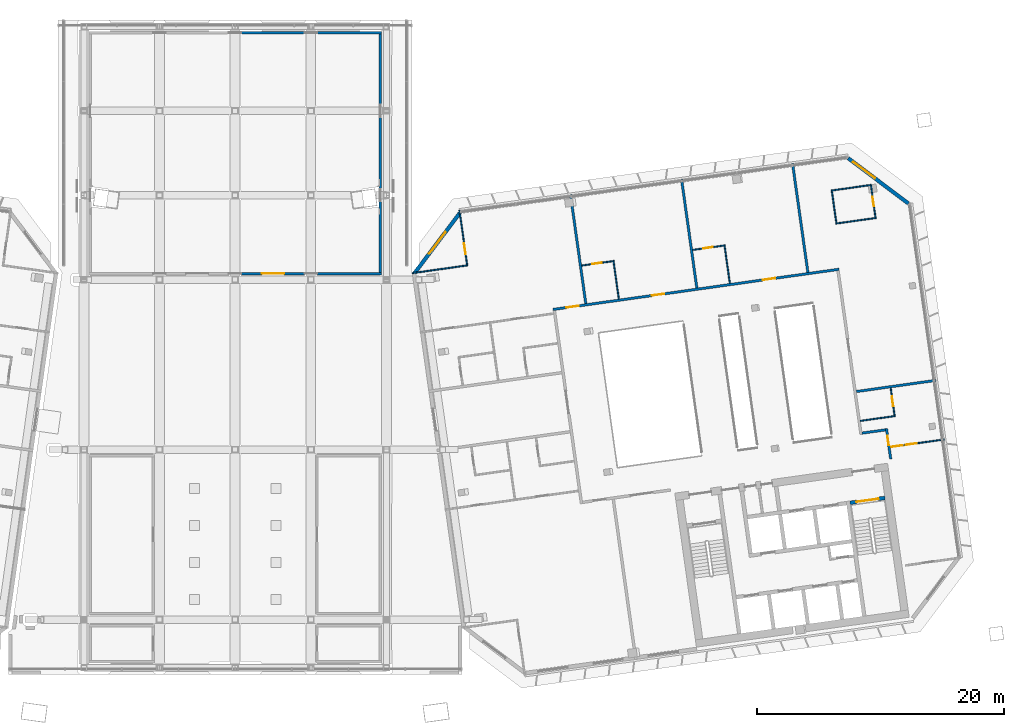
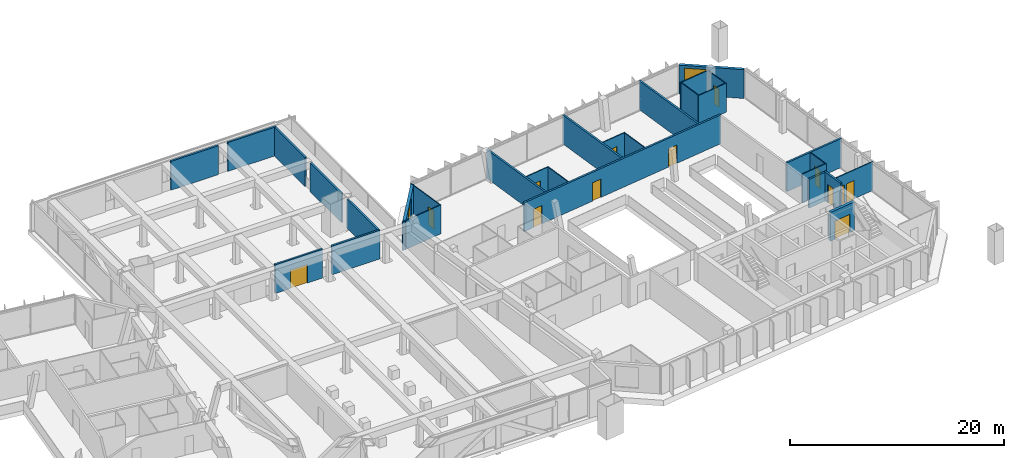
# One storey, part 23 of 30: 30 walls, 13 doors, 2 windows, 15 openings.
"""IFC4 building model written with IfcOpenShell, lengths in metres."""

from ifc_helpers import new_model, si_unit, direction, frame, frame_2d, origin, place, context, subcontext, project, spatial, rectangle, extrude, material, layer, layer_set, type_object, element, fill, save


model = new_model("IFC4")

# Units and contexts
model_context = context("Model", 3, precision=1e-05, world=origin(), true_north=direction((0.0, 1.0)))
body_context = subcontext(model_context, "Body", "Model", "MODEL_VIEW")
ifc_project = project(units=[si_unit("LENGTHUNIT", "METRE"), si_unit("AREAUNIT", "SQUARE_METRE"), si_unit("VOLUMEUNIT", "CUBIC_METRE"), si_unit("PLANEANGLEUNIT", "RADIAN"), si_unit("MASSUNIT", "GRAM", prefix="KILO")], contexts=[model_context])

# Site, building, storey
site_placement = place(None, origin())
site = spatial("IfcSite", under=ifc_project, at=site_placement, CompositionType="ELEMENT")
building_placement = place(site_placement, origin())
building = spatial("IfcBuilding", under=site, at=building_placement, Name="Mirante Cascada Hotel Towers", CompositionType="ELEMENT")
storey_placement = place(building_placement, frame((0.0, 0.0, 258.4)))
storey = spatial("IfcBuildingStorey", under=building, at=storey_placement, Name="L62", CompositionType="ELEMENT", Elevation=258.4)

# Walls
ifc_material_1 = material(Name="Fire-rated plasterboard on metal studs")
ifc_layer_1 = layer(ifc_material_1, 0.2)
ifc_layer_set_1 = layer_set([ifc_layer_1], Name="Compartment wall 200 EI 120")
wall_type_1 = type_object("IfcWallType", Name="Compartment wall 200 EI 120", PredefinedType="PARTITIONING", material=ifc_layer_set_1)
wall_1_placement = place(storey_placement, frame((52.6552, -2.2494, 0.0), z_axis=(0.0, 0.0, 1.0), x_axis=(-0.9902628, -0.1392105, 0.0)))
element("IfcWall", 1, at=wall_1_placement, inside=storey, type_object=wall_type_1, Name="Wall 2-L62-06", PredefinedType="PARTITIONING", context=body_context, shape_type="SweptSolid", body=[
    extrude(rectangle(XDim=1.9, YDim=0.2, at=frame_2d((0.95, 0.0))), origin(), (0.0, 0.0, 1.0), 3.3),
])
wall_2_placement = place(storey_placement, frame((50.3005, 0.853, 0.0), z_axis=(0.0, 0.0, 1.0), x_axis=(0.9902664, 0.1391853, 0.0)))
element("IfcWall", 2, at=wall_2_placement, inside=storey, type_object=wall_type_1, Name="Wall 2-L62-11", PredefinedType="PARTITIONING", context=body_context, shape_type="SweptSolid", body=[
    extrude(rectangle(XDim=6.5, YDim=0.2, at=frame_2d((3.25, 0.0))), origin(), (0.0, 0.0, 1.0), 3.3),
])

# Wall, openings, doors
wall_3_placement = place(storey_placement, frame((48.9088, 10.7557, 0.0), z_axis=(0.0, 0.0, 1.0), x_axis=(-0.9902684, -0.1391708, 0.0)))
wall_3 = element("IfcWall", 3, at=wall_3_placement, inside=storey, type_object=wall_type_1, Name="Wall 2-L62-16", PredefinedType="PARTITIONING", context=body_context, shape_type="SweptSolid", body=[
    extrude(rectangle(XDim=23.4, YDim=0.2, at=frame_2d((11.7, 0.0))), origin(), (0.0, 0.0, 1.0), 3.3),
])
opening_1_placement = place(wall_3_placement, frame((21.2999, 0.0, 0.0)))
opening_1 = element("IfcOpeningElement", 4, at=opening_1_placement, cuts=wall_3, Name="Opening D2-L62-10", PredefinedType="OPENING", context=body_context, shape_type="SweptSolid", body=[
    extrude(rectangle(XDim=1.0, YDim=2.1, at=frame_2d((0.5, 1.05))), frame((0.0, 0.1, 0.0), z_axis=(0.0, -1.0, 0.0), x_axis=(1.0, 0.0, 0.0)), (0.0, 0.0, 1.0), 0.2),
])
opening_2_placement = place(wall_3_placement, frame((14.3099, 0.0, 0.0)))
opening_2 = element("IfcOpeningElement", 5, at=opening_2_placement, cuts=wall_3, Name="Opening D2-L62-11", PredefinedType="OPENING", context=body_context, shape_type="SweptSolid", body=[
    extrude(rectangle(XDim=1.0, YDim=2.1, at=frame_2d((0.5, 1.05))), frame((0.0, 0.1, 0.0), z_axis=(0.0, -1.0, 0.0), x_axis=(1.0, 0.0, 0.0)), (0.0, 0.0, 1.0), 0.2),
])
opening_3_placement = place(wall_3_placement, frame((5.2299, 0.0, 0.0)))
opening_3 = element("IfcOpeningElement", 6, at=opening_3_placement, cuts=wall_3, Name="Opening D2-L62-12", PredefinedType="OPENING", context=body_context, shape_type="SweptSolid", body=[
    extrude(rectangle(XDim=1.0, YDim=2.1, at=frame_2d((0.5, 1.05))), frame((0.0, 0.1, 0.0), z_axis=(0.0, -1.0, 0.0), x_axis=(1.0, 0.0, 0.0)), (0.0, 0.0, 1.0), 0.2),
])
ifc_material_2 = material(Name="Fire-rated timber door leaf", Category="wood")
door_type_1 = type_object("IfcDoorType", Name="Entrance door DG1 1000x2100 EI 60", OperationType="SINGLE_SWING_LEFT", PredefinedType="DOOR", material=ifc_material_2)
door_1_placement = place(opening_1_placement, frame((1.0, 0.0, 0.0), z_axis=(0.0, 0.0, 1.0), x_axis=(-1.0, 0.0, 0.0)))
door_1 = element("IfcDoor", 7, at=door_1_placement, inside=storey, type_object=door_type_1, Name="Door D2-L62-10", OperationType="SINGLE_SWING_RIGHT", OverallHeight=2.1, OverallWidth=1.0, PredefinedType="DOOR", context=body_context, shape_type="SweptSolid", body=[
    extrude(rectangle(XDim=1.0, YDim=2.1, at=frame_2d((0.5, 1.05))), frame((0.0, 0.025, 0.0), z_axis=(0.0, -1.0, 0.0), x_axis=(1.0, 0.0, 0.0)), (0.0, 0.0, 1.0), 0.05),
])
fill(opening_1, door_1)
door_2_placement = place(opening_2_placement, frame((1.0, 0.0, 0.0), z_axis=(0.0, 0.0, 1.0), x_axis=(-1.0, 0.0, 0.0)))
door_2 = element("IfcDoor", 8, at=door_2_placement, inside=storey, type_object=door_type_1, Name="Door D2-L62-11", OperationType="SINGLE_SWING_RIGHT", OverallHeight=2.1, OverallWidth=1.0, PredefinedType="DOOR", context=body_context, shape_type="SweptSolid", body=[
    extrude(rectangle(XDim=1.0, YDim=2.1, at=frame_2d((0.5, 1.05))), frame((0.0, 0.025, 0.0), z_axis=(0.0, -1.0, 0.0), x_axis=(1.0, 0.0, 0.0)), (0.0, 0.0, 1.0), 0.05),
])
fill(opening_2, door_2)
door_3_placement = place(opening_3_placement, frame((1.0, 0.0, 0.0), z_axis=(0.0, 0.0, 1.0), x_axis=(-1.0, 0.0, 0.0)))
door_3 = element("IfcDoor", 9, at=door_3_placement, inside=storey, type_object=door_type_1, Name="Door D2-L62-12", OperationType="SINGLE_SWING_RIGHT", OverallHeight=2.1, OverallWidth=1.0, PredefinedType="DOOR", context=body_context, shape_type="SweptSolid", body=[
    extrude(rectangle(XDim=1.0, YDim=2.1, at=frame_2d((0.5, 1.05))), frame((0.0, 0.025, 0.0), z_axis=(0.0, -1.0, 0.0), x_axis=(1.0, 0.0, 0.0)), (0.0, 0.0, 1.0), 0.05),
])
fill(opening_3, door_3)

# Walls
for number, where, z_axis, x_axis, name in (
    (10, (27.1579, 16.7873, 0.0), (0.0, 0.0, 1.0), (0.1391684, -0.9902687, 0.0), "Wall 2-L62-32"),
    (11, (36.1494, 18.051, 0.0), (0.0, 0.0, 1.0), (0.1391684, -0.9902687, 0.0), "Wall 2-L62-34"),
):
    element("IfcWall", number, at=place(storey_placement, frame(where, z_axis=z_axis, x_axis=x_axis)), inside=storey, type_object=wall_type_1, Name=name, PredefinedType="PARTITIONING", context=body_context, shape_type="SweptSolid", body=[
        extrude(rectangle(XDim=8.9, YDim=0.2, at=frame_2d((4.45, 0.0))), origin(), (0.0, 0.0, 1.0), 3.3),
    ])
wall_4_placement = place(storey_placement, frame((45.1409, 19.3146, 0.0), z_axis=(0.0, 0.0, 1.0), x_axis=(0.139181, -0.990267, 0.0)))
element("IfcWall", 12, at=wall_4_placement, inside=storey, type_object=wall_type_1, Name="Wall 2-L62-36", PredefinedType="PARTITIONING", context=body_context, shape_type="SweptSolid", body=[
    extrude(rectangle(XDim=8.8999, YDim=0.2, at=frame_2d((4.45, 0.0))), origin(), (0.0, 0.0, 1.0), 3.3),
])

# Wall, opening, door
wall_5_placement = place(storey_placement, frame((53.0882, -4.6122, 0.0), z_axis=(0.0, 0.0, 1.0), x_axis=(-0.1391586, 0.9902701, 0.0)))
wall_5 = element("IfcWall", 13, at=wall_5_placement, inside=storey, type_object=wall_type_1, Name="Wall 2-L62-39", PredefinedType="PARTITIONING", context=body_context, shape_type="SweptSolid", body=[
    extrude(rectangle(XDim=2.5, YDim=0.2, at=frame_2d((1.25, 0.0))), origin(), (0.0, 0.0, 1.0), 3.3),
])
opening_4_placement = place(wall_5_placement, frame((1.1167, 0.0, 0.0)))
opening_4 = element("IfcOpeningElement", 14, at=opening_4_placement, cuts=wall_5, Name="Opening D2-L62-23", PredefinedType="OPENING", context=body_context, shape_type="SweptSolid", body=[
    extrude(rectangle(XDim=0.8, YDim=2.1, at=frame_2d((0.4, 1.05))), frame((0.0, 0.1, 0.0), z_axis=(0.0, -1.0, 0.0), x_axis=(1.0, 0.0, 0.0)), (0.0, 0.0, 1.0), 0.2),
])
ifc_material_3 = material(Name="Fire-rated timber door leaf", Category="wood")
door_type_2 = type_object("IfcDoorType", Name="Bathroom door DG4 800x2100 EI 60", OperationType="SINGLE_SWING_LEFT", PredefinedType="DOOR", material=ifc_material_3)
door_4_placement = place(opening_4_placement, origin())
door_4 = element("IfcDoor", 15, at=door_4_placement, inside=storey, type_object=door_type_2, Name="Door D2-L62-23", OperationType="SINGLE_SWING_LEFT", OverallHeight=2.1, OverallWidth=0.8, PredefinedType="DOOR", context=body_context, shape_type="SweptSolid", body=[
    extrude(rectangle(XDim=0.8, YDim=2.1, at=frame_2d((0.4, 1.05))), frame((0.0, 0.025, 0.0), z_axis=(0.0, -1.0, 0.0), x_axis=(1.0, 0.0, 0.0)), (0.0, 0.0, 1.0), 0.05),
])
fill(opening_4, door_4)

ifc_material_4 = material(Name="Masonry block", Category="masonry")
ifc_layer_2 = layer(ifc_material_4, 0.2)
ifc_layer_set_2 = layer_set([ifc_layer_2], Name="Deck room wall 200 block EI 120")
wall_type_2 = type_object("IfcWallType", Name="Deck room wall 200 block EI 120", PredefinedType="PARTITIONING", material=ifc_layer_set_2)
wall_6_placement = place(storey_placement, frame((0.5, 10.41, 0.0), z_axis=(0.0, 0.0, 1.0), x_axis=(1.0, 0.0, 0.0)))
wall_6 = element("IfcWall", 16, at=wall_6_placement, inside=storey, type_object=wall_type_2, Name="Sky park fire wall L62 W21", PredefinedType="PARTITIONING", context=body_context, shape_type="SweptSolid", body=[
    extrude(rectangle(XDim=5.13, YDim=0.2, at=frame_2d((2.565, 0.0))), origin(), (0.0, 0.0, 1.0), 3.3),
])
opening_5_placement = place(wall_6_placement, frame((1.665, 0.0, 0.0)))
opening_5 = element("IfcOpeningElement", 17, at=opening_5_placement, cuts=wall_6, Name="Opening DD-62-06", PredefinedType="OPENING", context=body_context, shape_type="SweptSolid", body=[
    extrude(rectangle(XDim=1.8, YDim=2.1, at=frame_2d((0.9, 1.05))), frame((0.0, 0.1, 0.0), z_axis=(0.0, -1.0, 0.0), x_axis=(1.0, 0.0, 0.0)), (0.0, 0.0, 1.0), 0.2),
])
ifc_material_5 = material(Name="Hollow metal fire door leaf")
door_type_3 = type_object("IfcDoorType", Name="Double fire door 1800x2100 FD60 self-closing", OperationType="DOUBLE_DOOR_SINGLE_SWING", PredefinedType="DOOR", material=ifc_material_5)
door_5_placement = place(opening_5_placement, frame((1.8, 0.0, 0.0), z_axis=(0.0, 0.0, 1.0), x_axis=(-1.0, 0.0, 0.0)))
door_5 = element("IfcDoor", 18, at=door_5_placement, inside=storey, type_object=door_type_3, Name="Fire door sky park L62 d6", OperationType="DOUBLE_DOOR_SINGLE_SWING", OverallHeight=2.1, OverallWidth=1.8, PredefinedType="DOOR", context=body_context, shape_type="SweptSolid", body=[
    extrude(rectangle(XDim=0.895, YDim=2.1, at=frame_2d((0.4475, 1.05))), frame((0.0, 0.025, 0.0), z_axis=(0.0, -1.0, 0.0), x_axis=(1.0, 0.0, 0.0)), (0.0, 0.0, 1.0), 0.05),
    extrude(rectangle(XDim=0.895, YDim=2.1, at=frame_2d((1.3525, 1.05))), frame((0.0, 0.025, 0.0), z_axis=(0.0, -1.0, 0.0), x_axis=(1.0, 0.0, 0.0)), (0.0, 0.0, 1.0), 0.05),
])
fill(opening_5, door_5)

# Walls
wall_7_placement = place(storey_placement, frame((0.5, 29.91, 0.0), z_axis=(0.0, 0.0, 1.0), x_axis=(1.0, 0.0, 0.0)))
element("IfcWall", 19, at=wall_7_placement, inside=storey, type_object=wall_type_2, Name="Sky park fire wall L62 W22", PredefinedType="PARTITIONING", context=body_context, shape_type="SweptSolid", body=[
    extrude(rectangle(XDim=5.13, YDim=0.2, at=frame_2d((2.565, 0.0))), origin(), (0.0, 0.0, 1.0), 3.3),
])
for number, where, z_axis, x_axis, name in (
    (20, (6.63, 10.41, 0.0), (0.0, 0.0, 1.0), (1.0, 0.0, 0.0), "Sky park fire wall L62 W23"),
    (21, (6.63, 29.91, 0.0), (0.0, 0.0, 1.0), (1.0, 0.0, 0.0), "Sky park fire wall L62 W24"),
):
    element("IfcWall", number, at=place(storey_placement, frame(where, z_axis=z_axis, x_axis=x_axis)), inside=storey, type_object=wall_type_2, Name=name, PredefinedType="PARTITIONING", context=body_context, shape_type="SweptSolid", body=[
        extrude(rectangle(XDim=5.22, YDim=0.2, at=frame_2d((2.61, 0.0))), origin(), (0.0, 0.0, 1.0), 3.3),
    ])
wall_8_placement = place(storey_placement, frame((11.75, 10.51, 0.0), z_axis=(0.0, 0.0, 1.0), x_axis=(0.0, 1.0, 0.0)))
element("IfcWall", 22, at=wall_8_placement, inside=storey, type_object=wall_type_2, Name="Sky park fire wall L62 W26", PredefinedType="PARTITIONING", context=body_context, shape_type="SweptSolid", body=[
    extrude(rectangle(XDim=5.74, YDim=0.2, at=frame_2d((2.87, 0.0))), origin(), (0.0, 0.0, 1.0), 3.3),
])
wall_9_placement = place(storey_placement, frame((11.75, 17.25, 0.0), z_axis=(0.0, 0.0, 1.0), x_axis=(0.0, 1.0, 0.0)))
element("IfcWall", 23, at=wall_9_placement, inside=storey, type_object=wall_type_2, Name="Sky park fire wall L62 W28", PredefinedType="PARTITIONING", context=body_context, shape_type="SweptSolid", body=[
    extrude(rectangle(XDim=5.83, YDim=0.2, at=frame_2d((2.915, 0.0))), origin(), (0.0, 0.0, 1.0), 3.3),
])
wall_10_placement = place(storey_placement, frame((11.75, 24.08, 0.0), z_axis=(0.0, 0.0, 1.0), x_axis=(0.0, 1.0, 0.0)))
element("IfcWall", 24, at=wall_10_placement, inside=storey, type_object=wall_type_2, Name="Sky park fire wall L62 W30", PredefinedType="PARTITIONING", context=body_context, shape_type="SweptSolid", body=[
    extrude(rectangle(XDim=5.73, YDim=0.2, at=frame_2d((2.865, 0.0))), origin(), (0.0, 0.0, 1.0), 3.3),
])

# Wall, openings, doors
ifc_material_6 = material(Name="Plasterboard on metal studs")
ifc_layer_3 = layer(ifc_material_6, 0.1)
ifc_layer_set_3 = layer_set([ifc_layer_3], Name="Partition 100")
wall_type_3 = type_object("IfcWallType", Name="Partition 100", PredefinedType="PARTITIONING", material=ifc_layer_set_3)
wall_11_placement = place(storey_placement, frame((53.0527, -3.641, 0.0), z_axis=(0.0, 0.0, 1.0), x_axis=(0.990267, 0.139181, 0.0)))
wall_11 = element("IfcWall", 25, at=wall_11_placement, inside=storey, type_object=wall_type_3, Name="Wall 2-L62-05", PredefinedType="PARTITIONING", context=body_context, shape_type="SweptSolid", body=[
    extrude(rectangle(XDim=4.4, YDim=0.1, at=frame_2d((2.2, 0.0))), origin(), (0.0, 0.0, 1.0), 3.3),
])
opening_6_placement = place(wall_11_placement, frame((0.1, 0.0, 0.0)))
opening_6 = element("IfcOpeningElement", 26, at=opening_6_placement, cuts=wall_11, Name="Opening D2-L62-06", PredefinedType="OPENING", context=body_context, shape_type="SweptSolid", body=[
    extrude(rectangle(XDim=0.9, YDim=2.1, at=frame_2d((0.45, 1.05))), frame((0.0, 0.05, 0.0), z_axis=(0.0, -1.0, 0.0), x_axis=(1.0, 0.0, 0.0)), (0.0, 0.0, 1.0), 0.1),
])
opening_7_placement = place(wall_11_placement, frame((1.25, 0.0, 0.0)))
opening_7 = element("IfcOpeningElement", 27, at=opening_7_placement, cuts=wall_11, Name="Opening D2-L62-07", PredefinedType="OPENING", context=body_context, shape_type="SweptSolid", body=[
    extrude(rectangle(XDim=0.9, YDim=2.1, at=frame_2d((0.45, 1.05))), frame((0.0, 0.05, 0.0), z_axis=(0.0, -1.0, 0.0), x_axis=(1.0, 0.0, 0.0)), (0.0, 0.0, 1.0), 0.1),
])
ifc_material_7 = material(Name="Timber door leaf", Category="wood")
door_type_4 = type_object("IfcDoorType", Name="Room door DG3 900x2100", OperationType="SINGLE_SWING_LEFT", PredefinedType="DOOR", material=ifc_material_7)
door_6_placement = place(opening_6_placement, frame((0.9, 0.0, 0.0), z_axis=(0.0, 0.0, 1.0), x_axis=(-1.0, 0.0, 0.0)))
door_6 = element("IfcDoor", 28, at=door_6_placement, inside=storey, type_object=door_type_4, Name="Door D2-L62-06", OperationType="SINGLE_SWING_RIGHT", OverallHeight=2.1, OverallWidth=0.9, PredefinedType="DOOR", context=body_context, shape_type="SweptSolid", body=[
    extrude(rectangle(XDim=0.9, YDim=2.1, at=frame_2d((0.45, 1.05))), frame((0.0, 0.025, 0.0), z_axis=(0.0, -1.0, 0.0), x_axis=(1.0, 0.0, 0.0)), (0.0, 0.0, 1.0), 0.05),
])
fill(opening_6, door_6)
door_7_placement = place(opening_7_placement, frame((0.9, 0.0, 0.0), z_axis=(0.0, 0.0, 1.0), x_axis=(-1.0, 0.0, 0.0)))
door_7 = element("IfcDoor", 29, at=door_7_placement, inside=storey, type_object=door_type_4, Name="Door D2-L62-07", OperationType="SINGLE_SWING_RIGHT", OverallHeight=2.1, OverallWidth=0.9, PredefinedType="DOOR", context=body_context, shape_type="SweptSolid", body=[
    extrude(rectangle(XDim=0.9, YDim=2.1, at=frame_2d((0.45, 1.05))), frame((0.0, 0.025, 0.0), z_axis=(0.0, -1.0, 0.0), x_axis=(1.0, 0.0, 0.0)), (0.0, 0.0, 1.0), 0.05),
])
fill(opening_7, door_7)

# Wall
wall_12_placement = place(storey_placement, frame((50.6345, -1.5236, 0.0), z_axis=(0.0, 0.0, 1.0), x_axis=(0.9902704, 0.1391564, 0.0)))
element("IfcWall", 30, at=wall_12_placement, inside=storey, type_object=wall_type_3, Name="Wall 2-L62-09", PredefinedType="PARTITIONING", context=body_context, shape_type="SweptSolid", body=[
    extrude(rectangle(XDim=2.85, YDim=0.1, at=frame_2d((1.425, 0.0))), origin(), (0.0, 0.0, 1.0), 3.3),
])

# Wall, opening, door
wall_13_placement = place(storey_placement, frame((28.0641, 11.0576, 0.0), z_axis=(0.0, 0.0, 1.0), x_axis=(0.9902677, 0.1391755, 0.0)))
wall_13 = element("IfcWall", 31, at=wall_13_placement, inside=storey, type_object=wall_type_3, Name="Wall 2-L62-17", PredefinedType="PARTITIONING", context=body_context, shape_type="SweptSolid", body=[
    extrude(rectangle(XDim=2.55, YDim=0.1, at=frame_2d((1.275, 0.0))), origin(), (0.0, 0.0, 1.0), 3.3),
])
opening_8_placement = place(wall_13_placement, frame((0.85, 0.0, 0.0)))
opening_8 = element("IfcOpeningElement", 32, at=opening_8_placement, cuts=wall_13, Name="Opening D2-L62-13", PredefinedType="OPENING", context=body_context, shape_type="SweptSolid", body=[
    extrude(rectangle(XDim=0.8, YDim=2.1, at=frame_2d((0.4, 1.05))), frame((0.0, 0.05, 0.0), z_axis=(0.0, -1.0, 0.0), x_axis=(1.0, 0.0, 0.0)), (0.0, 0.0, 1.0), 0.1),
])
ifc_material_8 = material(Name="Timber door leaf", Category="wood")
door_type_5 = type_object("IfcDoorType", Name="Bathroom door DG4 800x2100", OperationType="SINGLE_SWING_LEFT", PredefinedType="DOOR", material=ifc_material_8)
door_8_placement = place(opening_8_placement, origin())
door_8 = element("IfcDoor", 33, at=door_8_placement, inside=storey, type_object=door_type_5, Name="Door D2-L62-13", OperationType="SINGLE_SWING_LEFT", OverallHeight=2.1, OverallWidth=0.8, PredefinedType="DOOR", context=body_context, shape_type="SweptSolid", body=[
    extrude(rectangle(XDim=0.8, YDim=2.1, at=frame_2d((0.4, 1.05))), frame((0.0, 0.025, 0.0), z_axis=(0.0, -1.0, 0.0), x_axis=(1.0, 0.0, 0.0)), (0.0, 0.0, 1.0), 0.05),
])
fill(opening_8, door_8)

wall_14_placement = place(storey_placement, frame((39.5808, 12.6762, 0.0), z_axis=(0.0, 0.0, 1.0), x_axis=(-0.9902677, -0.1391755, 0.0)))
wall_14 = element("IfcWall", 34, at=wall_14_placement, inside=storey, type_object=wall_type_3, Name="Wall 2-L62-18", PredefinedType="PARTITIONING", context=body_context, shape_type="SweptSolid", body=[
    extrude(rectangle(XDim=2.55, YDim=0.1, at=frame_2d((1.275, 0.0))), origin(), (0.0, 0.0, 1.0), 3.3),
])
opening_9_placement = place(wall_14_placement, frame((0.9, 0.0, 0.0)))
opening_9 = element("IfcOpeningElement", 35, at=opening_9_placement, cuts=wall_14, Name="Opening D2-L62-14", PredefinedType="OPENING", context=body_context, shape_type="SweptSolid", body=[
    extrude(rectangle(XDim=0.8, YDim=2.1, at=frame_2d((0.4, 1.05))), frame((0.0, 0.05, 0.0), z_axis=(0.0, -1.0, 0.0), x_axis=(1.0, 0.0, 0.0)), (0.0, 0.0, 1.0), 0.1),
])
door_9_placement = place(opening_9_placement, frame((0.8, 0.0, 0.0), z_axis=(0.0, 0.0, 1.0), x_axis=(-1.0, 0.0, 0.0)))
door_9 = element("IfcDoor", 36, at=door_9_placement, inside=storey, type_object=door_type_5, Name="Door D2-L62-14", OperationType="SINGLE_SWING_RIGHT", OverallHeight=2.1, OverallWidth=0.8, PredefinedType="DOOR", context=body_context, shape_type="SweptSolid", body=[
    extrude(rectangle(XDim=0.8, YDim=2.1, at=frame_2d((0.4, 1.05))), frame((0.0, 0.025, 0.0), z_axis=(0.0, -1.0, 0.0), x_axis=(1.0, 0.0, 0.0)), (0.0, 0.0, 1.0), 0.05),
])
fill(opening_9, door_9)

# Walls
wall_15_placement = place(storey_placement, frame((48.6414, 14.4545, 0.0), z_axis=(0.0, 0.0, 1.0), x_axis=(0.990267, 0.139181, 0.0)))
element("IfcWall", 37, at=wall_15_placement, inside=storey, type_object=wall_type_3, Name="Wall 2-L62-19", PredefinedType="PARTITIONING", context=body_context, shape_type="SweptSolid", body=[
    extrude(rectangle(XDim=3.3, YDim=0.1, at=frame_2d((1.65, 0.0))), origin(), (0.0, 0.0, 1.0), 3.3),
])
wall_16_placement = place(storey_placement, frame((18.8421, 11.0744, 0.0), z_axis=(0.0, 0.0, 1.0), x_axis=(-0.9902661, -0.1391871, 0.0)))
element("IfcWall", 38, at=wall_16_placement, inside=storey, type_object=wall_type_3, Name="Wall 2-L62-20", PredefinedType="PARTITIONING", context=body_context, shape_type="SweptSolid", body=[
    extrude(rectangle(XDim=4.55, YDim=0.1, at=frame_2d((2.275, 0.0))), origin(), (0.0, 0.0, 1.0), 3.3),
])
wall_17_placement = place(storey_placement, frame((48.2656, 17.1282, 0.0), z_axis=(0.0, 0.0, 1.0), x_axis=(0.990267, 0.139181, 0.0)))
element("IfcWall", 39, at=wall_17_placement, inside=storey, type_object=wall_type_3, Name="Wall 2-L62-21", PredefinedType="PARTITIONING", context=body_context, shape_type="SweptSolid", body=[
    extrude(rectangle(XDim=3.3, YDim=0.1, at=frame_2d((1.65, 0.0))), origin(), (0.0, 0.0, 1.0), 3.3),
])

# Wall, opening, door
wall_18_placement = place(storey_placement, frame((18.7856, 11.1169, 0.0), z_axis=(0.0, 0.0, 1.0), x_axis=(-0.1391684, 0.9902687, 0.0)))
wall_18 = element("IfcWall", 40, at=wall_18_placement, inside=storey, type_object=wall_type_3, Name="Wall 2-L62-25", PredefinedType="PARTITIONING", context=body_context, shape_type="SweptSolid", body=[
    extrude(rectangle(XDim=4.45, YDim=0.1, at=frame_2d((2.225, 0.0))), origin(), (0.0, 0.0, 1.0), 3.3),
])
opening_10_placement = place(wall_18_placement, frame((0.8583, 0.0, 0.0)))
opening_10 = element("IfcOpeningElement", 41, at=opening_10_placement, cuts=wall_18, Name="Opening D2-L62-18", PredefinedType="OPENING", context=body_context, shape_type="SweptSolid", body=[
    extrude(rectangle(XDim=0.9, YDim=2.1, at=frame_2d((0.45, 1.05))), frame((0.0, 0.05, 0.0), z_axis=(0.0, -1.0, 0.0), x_axis=(1.0, 0.0, 0.0)), (0.0, 0.0, 1.0), 0.1),
])
door_10_placement = place(opening_10_placement, frame((0.9, 0.0, 0.0), z_axis=(0.0, 0.0, 1.0), x_axis=(-1.0, 0.0, 0.0)))
door_10 = element("IfcDoor", 42, at=door_10_placement, inside=storey, type_object=door_type_4, Name="Door D2-L62-18", OperationType="SINGLE_SWING_RIGHT", OverallHeight=2.1, OverallWidth=0.9, PredefinedType="DOOR", context=body_context, shape_type="SweptSolid", body=[
    extrude(rectangle(XDim=0.9, YDim=2.1, at=frame_2d((0.45, 1.05))), frame((0.0, 0.025, 0.0), z_axis=(0.0, -1.0, 0.0), x_axis=(1.0, 0.0, 0.0)), (0.0, 0.0, 1.0), 0.05),
])
fill(opening_10, door_10)

# Walls
wall_19_placement = place(storey_placement, frame((31.0702, 8.3497, 0.0), z_axis=(0.0, 0.0, 1.0), x_axis=(-0.1391765, 0.9902676, 0.0)))
element("IfcWall", 43, at=wall_19_placement, inside=storey, type_object=wall_type_3, Name="Wall 2-L62-33", PredefinedType="PARTITIONING", context=body_context, shape_type="SweptSolid", body=[
    extrude(rectangle(XDim=3.15, YDim=0.1, at=frame_2d((1.575, 0.0))), origin(), (0.0, 0.0, 1.0), 3.3),
])
wall_20_placement = place(storey_placement, frame((40.0618, 9.6133, 0.0), z_axis=(0.0, 0.0, 1.0), x_axis=(-0.1391721, 0.9902682, 0.0)))
element("IfcWall", 44, at=wall_20_placement, inside=storey, type_object=wall_type_3, Name="Wall 2-L62-35", PredefinedType="PARTITIONING", context=body_context, shape_type="SweptSolid", body=[
    extrude(rectangle(XDim=3.1501, YDim=0.1, at=frame_2d((1.575, 0.0))), origin(), (0.0, 0.0, 1.0), 3.3),
])
wall_21_placement = place(storey_placement, frame((48.3221, 17.0857, 0.0), z_axis=(0.0, 0.0, 1.0), x_axis=(0.1391541, -0.9902707, 0.0)))
element("IfcWall", 45, at=wall_21_placement, inside=storey, type_object=wall_type_3, Name="Wall 2-L62-38", PredefinedType="PARTITIONING", context=body_context, shape_type="SweptSolid", body=[
    extrude(rectangle(XDim=2.6, YDim=0.1, at=frame_2d((1.3, 0.0))), origin(), (0.0, 0.0, 1.0), 3.3),
])

# Wall, opening, door
wall_22_placement = place(storey_placement, frame((53.0872, 1.1437, 0.0), z_axis=(0.0, 0.0, 1.0), x_axis=(0.1391561, -0.9902705, 0.0)))
wall_22 = element("IfcWall", 46, at=wall_22_placement, inside=storey, type_object=wall_type_3, Name="Wall 2-L62-40", PredefinedType="PARTITIONING", context=body_context, shape_type="SweptSolid", body=[
    extrude(rectangle(XDim=2.25, YDim=0.1, at=frame_2d((1.125, 0.0))), origin(), (0.0, 0.0, 1.0), 3.3),
])
opening_11_placement = place(wall_22_placement, frame((0.7, 0.0, 0.0)))
opening_11 = element("IfcOpeningElement", 47, at=opening_11_placement, cuts=wall_22, Name="Opening D2-L62-24", PredefinedType="OPENING", context=body_context, shape_type="SweptSolid", body=[
    extrude(rectangle(XDim=0.8, YDim=2.1, at=frame_2d((0.4, 1.05))), frame((0.0, 0.05, 0.0), z_axis=(0.0, -1.0, 0.0), x_axis=(1.0, 0.0, 0.0)), (0.0, 0.0, 1.0), 0.1),
])
door_11_placement = place(opening_11_placement, origin())
door_11 = element("IfcDoor", 48, at=door_11_placement, inside=storey, type_object=door_type_5, Name="Door D2-L62-24", OperationType="SINGLE_SWING_LEFT", OverallHeight=2.1, OverallWidth=0.8, PredefinedType="DOOR", context=body_context, shape_type="SweptSolid", body=[
    extrude(rectangle(XDim=0.8, YDim=2.1, at=frame_2d((0.4, 1.05))), frame((0.0, 0.025, 0.0), z_axis=(0.0, -1.0, 0.0), x_axis=(1.0, 0.0, 0.0)), (0.0, 0.0, 1.0), 0.05),
])
fill(opening_11, door_11)

wall_23_placement = place(storey_placement, frame((51.8528, 14.9563, 0.0), z_axis=(0.0, 0.0, 1.0), x_axis=(-0.1391541, 0.9902707, 0.0)))
wall_23 = element("IfcWall", 49, at=wall_23_placement, inside=storey, type_object=wall_type_3, Name="Wall 2-L62-41", PredefinedType="PARTITIONING", context=body_context, shape_type="SweptSolid", body=[
    extrude(rectangle(XDim=2.6, YDim=0.1, at=frame_2d((1.3, 0.0))), origin(), (0.0, 0.0, 1.0), 3.3),
])
opening_12_placement = place(wall_23_placement, frame((0.9, 0.0, 0.0)))
opening_12 = element("IfcOpeningElement", 50, at=opening_12_placement, cuts=wall_23, Name="Opening D2-L62-25", PredefinedType="OPENING", context=body_context, shape_type="SweptSolid", body=[
    extrude(rectangle(XDim=0.8, YDim=2.1, at=frame_2d((0.4, 1.05))), frame((0.0, 0.05, 0.0), z_axis=(0.0, -1.0, 0.0), x_axis=(1.0, 0.0, 0.0)), (0.0, 0.0, 1.0), 0.1),
])
door_12_placement = place(opening_12_placement, origin())
door_12 = element("IfcDoor", 51, at=door_12_placement, inside=storey, type_object=door_type_5, Name="Door D2-L62-25", OperationType="SINGLE_SWING_LEFT", OverallHeight=2.1, OverallWidth=0.8, PredefinedType="DOOR", context=body_context, shape_type="SweptSolid", body=[
    extrude(rectangle(XDim=0.8, YDim=2.1, at=frame_2d((0.4, 1.05))), frame((0.0, 0.025, 0.0), z_axis=(0.0, -1.0, 0.0), x_axis=(1.0, 0.0, 0.0)), (0.0, 0.0, 1.0), 0.05),
])
fill(opening_12, door_12)

# Wall, opening, window
ifc_material_9 = material(Name="Precast concrete C40/50", Category="concrete")
ifc_layer_4 = layer(ifc_material_9, 0.3)
ifc_layer_set_4 = layer_set([ifc_layer_4], Name="Precast concrete C40/50 cladding wall 300")
wall_type_4 = type_object("IfcWallType", Name="Precast concrete C40/50 cladding wall 300", PredefinedType="STANDARD", material=ifc_layer_set_4)
wall_24_placement = place(storey_placement, frame((54.5298, 16.0715, 0.0), z_axis=(0.0, 0.0, 1.0), x_axis=(-0.7986362, 0.6018141, 0.0)))
wall_24 = element("IfcWall", 52, at=wall_24_placement, inside=storey, type_object=wall_type_4, Name="Corner cladding wall T2 L62 outer front", PredefinedType="STANDARD", context=body_context, shape_type="SweptSolid", body=[
    extrude(rectangle(XDim=6.1157, YDim=0.3, at=frame_2d((3.0578, 0.0))), origin(), (0.0, 0.0, 1.0), 3.3),
])
opening_13_placement = place(wall_24_placement, frame((3.4182, 0.0, 0.6)))
opening_13 = element("IfcOpeningElement", 53, at=opening_13_placement, cuts=wall_24, Name="Opening W2-62-05", PredefinedType="OPENING", context=body_context, shape_type="SweptSolid", body=[
    extrude(rectangle(XDim=2.2, YDim=2.4, at=frame_2d((1.1, 1.2))), frame((0.0, 0.15, 0.0), z_axis=(0.0, -1.0, 0.0), x_axis=(1.0, 0.0, 0.0)), (0.0, 0.0, 1.0), 0.3),
])
ifc_material_10 = material(Name="Aluminium frame with clear double glazing", Category="aluminium")
window_type = type_object("IfcWindowType", Name="Corner suite window 2200x2400", PartitioningType="DOUBLE_PANEL_VERTICAL", PredefinedType="WINDOW", material=ifc_material_10)
window_1_placement = place(opening_13_placement, origin())
window_1 = element("IfcWindow", 54, at=window_1_placement, inside=storey, type_object=window_type, Name="Window W2-62-05", OverallHeight=2.4, OverallWidth=2.2, PartitioningType="SINGLE_PANEL", PredefinedType="WINDOW", context=body_context, shape_type="SweptSolid", body=[
    extrude(rectangle(XDim=2.2, YDim=2.4, at=frame_2d((1.1, 1.2))), frame((0.0, 0.03, 0.0), z_axis=(0.0, -1.0, 0.0), x_axis=(1.0, 0.0, 0.0)), (0.0, 0.0, 1.0), 0.06),
])
fill(opening_13, window_1)

wall_25_placement = place(storey_placement, frame((18.2114, 15.3342, 0.0), z_axis=(0.0, 0.0, 1.0), x_axis=(-0.6018141, -0.7986362, 0.0)))
wall_25 = element("IfcWall", 55, at=wall_25_placement, inside=storey, type_object=wall_type_4, Name="Corner cladding wall T2 L62 front inner", PredefinedType="STANDARD", context=body_context, shape_type="SweptSolid", body=[
    extrude(rectangle(XDim=6.1157, YDim=0.3, at=frame_2d((3.0578, 0.0))), origin(), (0.0, 0.0, 1.0), 3.3),
])
opening_14_placement = place(wall_25_placement, frame((1.9578, 0.0, 0.6)))
opening_14 = element("IfcOpeningElement", 56, at=opening_14_placement, cuts=wall_25, Name="Opening W2-62-06", PredefinedType="OPENING", context=body_context, shape_type="SweptSolid", body=[
    extrude(rectangle(XDim=2.2, YDim=2.4, at=frame_2d((1.1, 1.2))), frame((0.0, 0.15, 0.0), z_axis=(0.0, -1.0, 0.0), x_axis=(1.0, 0.0, 0.0)), (0.0, 0.0, 1.0), 0.3),
])
window_2_placement = place(opening_14_placement, origin())
window_2 = element("IfcWindow", 57, at=window_2_placement, inside=storey, type_object=window_type, Name="Window W2-62-06", OverallHeight=2.4, OverallWidth=2.2, PartitioningType="SINGLE_PANEL", PredefinedType="WINDOW", context=body_context, shape_type="SweptSolid", body=[
    extrude(rectangle(XDim=2.2, YDim=2.4, at=frame_2d((1.1, 1.2))), frame((0.0, 0.03, 0.0), z_axis=(0.0, -1.0, 0.0), x_axis=(1.0, 0.0, 0.0)), (0.0, 0.0, 1.0), 0.06),
])
fill(opening_14, window_2)

# Wall, opening, door
ifc_material_11 = material(Name="Concrete C50/60", Category="concrete")
ifc_layer_5 = layer(ifc_material_11, 0.3)
ifc_layer_set_5 = layer_set([ifc_layer_5], Name="RC core wall 300 C50/60")
wall_type_5 = type_object("IfcWallType", Name="RC core wall 300 C50/60", PredefinedType="SHEAR", material=ifc_layer_set_5)
wall_26_placement = place(storey_placement, frame((49.7992, -8.1544, 0.0), z_axis=(0.0, 0.0, 1.0), x_axis=(0.9902656, 0.1391909, 0.0)))
wall_26 = element("IfcWall", 58, at=wall_26_placement, inside=storey, type_object=wall_type_5, Name="Core wall T2:L62:8", PredefinedType="SHEAR", context=body_context, shape_type="SweptSolid", body=[
    extrude(rectangle(XDim=2.85, YDim=0.3, at=frame_2d((1.425, 0.0))), origin(), (0.0, 0.0, 1.0), 3.3),
])
opening_15_placement = place(wall_26_placement, frame((0.525, 0.0, 0.0)))
opening_15 = element("IfcOpeningElement", 59, at=opening_15_placement, cuts=wall_26, Name="Opening D2-62-C09", PredefinedType="OPENING", context=body_context, shape_type="SweptSolid", body=[
    extrude(rectangle(XDim=1.8, YDim=2.1, at=frame_2d((0.9, 1.05))), frame((0.0, 0.15, 0.0), z_axis=(0.0, -1.0, 0.0), x_axis=(1.0, 0.0, 0.0)), (0.0, 0.0, 1.0), 0.3),
])
ifc_material_12 = material(Name="Hollow metal fire door leaf")
door_type_6 = type_object("IfcDoorType", Name="Double fire door 1800x2100 FD60", OperationType="DOUBLE_DOOR_SINGLE_SWING", PredefinedType="DOOR", material=ifc_material_12)
door_13_placement = place(opening_15_placement, frame((1.8, 0.0, 0.0), z_axis=(0.0, 0.0, 1.0), x_axis=(-1.0, 0.0, 0.0)))
door_13 = element("IfcDoor", 60, at=door_13_placement, inside=storey, type_object=door_type_6, Name="Stair door T2 L62 9", OperationType="DOUBLE_DOOR_SINGLE_SWING", OverallHeight=2.1, OverallWidth=1.8, PredefinedType="DOOR", context=body_context, shape_type="SweptSolid", body=[
    extrude(rectangle(XDim=0.895, YDim=2.1, at=frame_2d((0.4475, 1.05))), frame((0.0, 0.025, 0.0), z_axis=(0.0, -1.0, 0.0), x_axis=(1.0, 0.0, 0.0)), (0.0, 0.0, 1.0), 0.05),
    extrude(rectangle(XDim=0.895, YDim=2.1, at=frame_2d((1.3525, 1.05))), frame((0.0, 0.025, 0.0), z_axis=(0.0, -1.0, 0.0), x_axis=(1.0, 0.0, 0.0)), (0.0, 0.0, 1.0), 0.05),
])
fill(opening_15, door_13)

save(model, "model.ifc")
